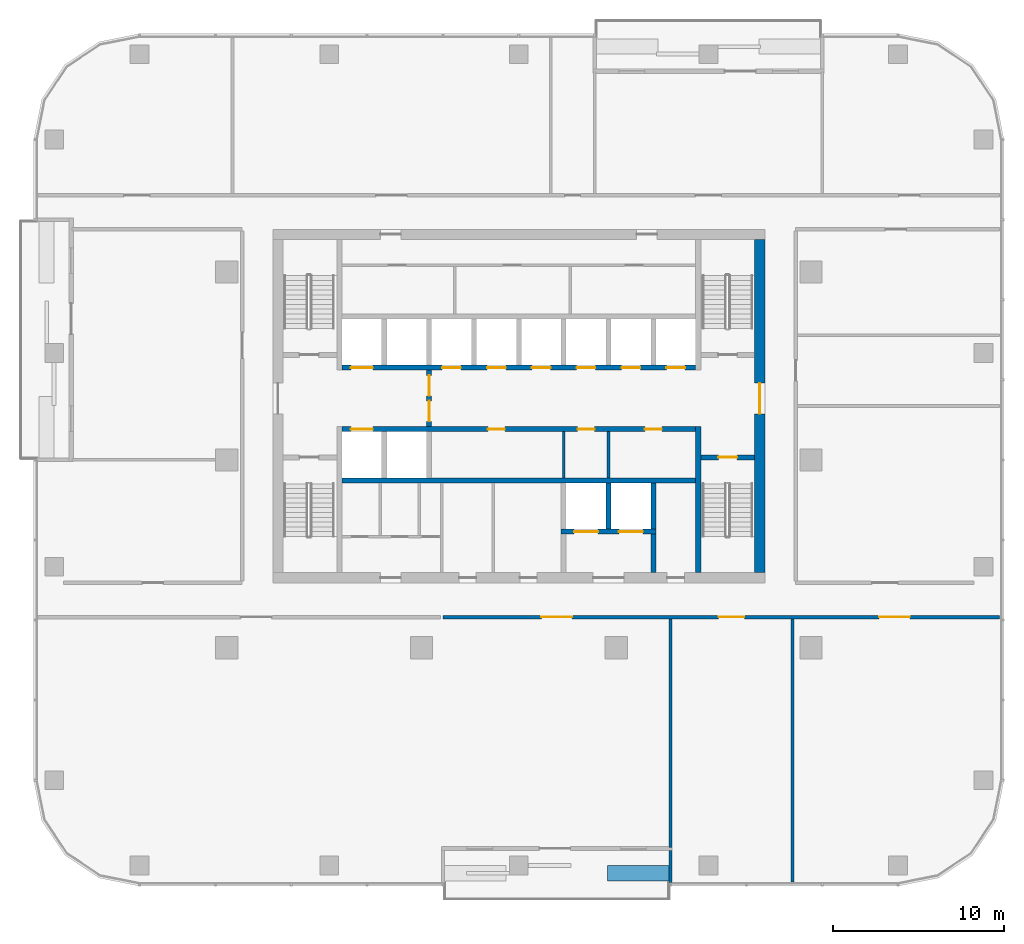
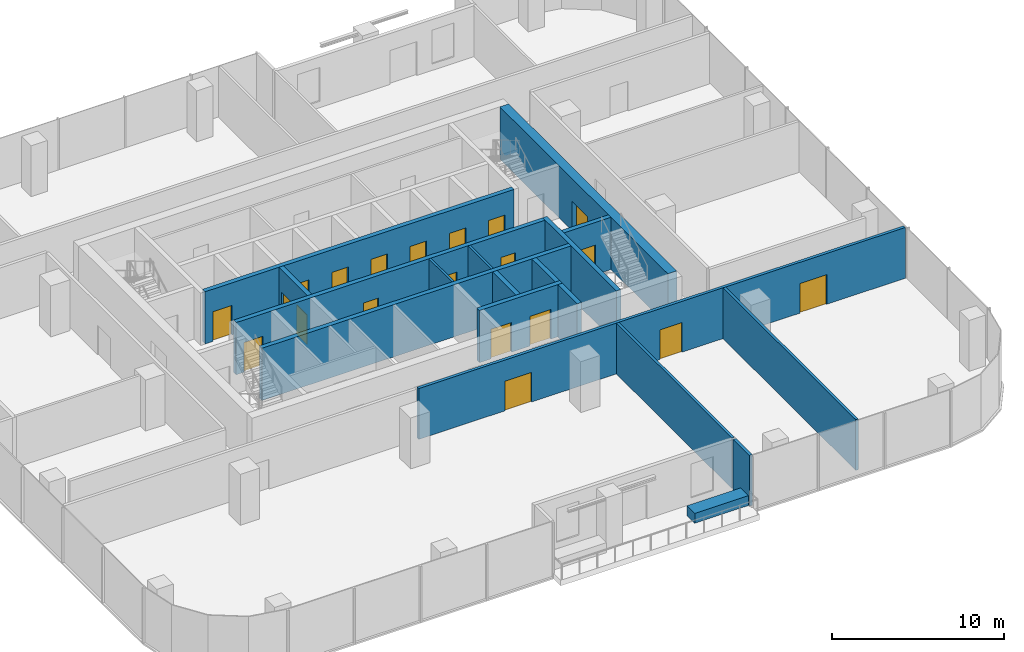
# One storey, part 8 of 14: 20 doors, 18 walls, 20 openings.
"""IFC4 building model written with IfcOpenShell, lengths in metres."""

import ifcopenshell
import ifcopenshell.guid

model = None  # the IFC model being written
_history = None  # IfcOwnerHistory: only IFC2X3 demands one
_inside = {}  # id of a spatial element -> (the spatial element, [elements in it])
_under = {}  # id of a project, library or spatial element -> (it, [spatial elements below it])
_declared = {}  # id of a project -> (the project, [libraries it declares])
_typed = {}  # id of a type object -> (the type object, [elements of that type])
_made_of = {}  # id of a material, layer set ... -> (it, [elements and type objects made of it])


def new_model(schema):
    """Start an empty IFC model of exactly this schema.

    Asked for "IFC4X3", IfcOpenShell would pick the latest addendum, in which some entities
    have other attributes; the version numbers below select the first issue.
    IFC2X3 requires an IfcOwnerHistory on every rooted entity: one is made here for all.
    """
    global model, _history
    if schema == "IFC4X3":
        model = ifcopenshell.file(schema_version=(4, 3, 0, 0))
    else:
        model = ifcopenshell.file(schema=schema)
    _inside.clear()
    _under.clear()
    _declared.clear()
    _typed.clear()
    _made_of.clear()
    _history = None
    if model.schema == "IFC2X3":
        org = make("IfcOrganization", Name="unknown")
        user = make(
            "IfcPersonAndOrganization",
            ThePerson=make("IfcPerson", FamilyName="unknown"),
            TheOrganization=org,
        )
        app = make(
            "IfcApplication",
            ApplicationDeveloper=org,
            Version="unknown",
            ApplicationFullName="unknown",
            ApplicationIdentifier="unknown",
        )
        _history = make(
            "IfcOwnerHistory",
            OwningUser=user,
            OwningApplication=app,
            ChangeAction="ADDED",
            CreationDate=0,
        )
    return model


def make(cls, **values):
    """One entity of the class cls with the attributes given. An attribute that is None is left unset."""
    return model.create_entity(
        cls, **{name: value for name, value in values.items() if value is not None}
    )


def rooted(cls, **values):
    """An entity with a GlobalId (a new one), such as an element, a storey or a relation."""
    return make(cls, GlobalId=ifcopenshell.guid.new(), OwnerHistory=_history, **values)


def si_unit(unit_type, name, prefix=None):
    """IfcSIUnit, for example si_unit("LENGTHUNIT", "METRE", prefix="MILLI")."""
    return make("IfcSIUnit", UnitType=unit_type, Prefix=prefix, Name=name)


def assignment(units):
    """IfcUnitAssignment: the units of a project."""
    return None if units is None else make("IfcUnitAssignment", Units=units)


def point(xyz):
    """IfcCartesianPoint."""
    return None if xyz is None else make("IfcCartesianPoint", Coordinates=xyz)


def direction(xyz):
    """IfcDirection."""
    return None if xyz is None else make("IfcDirection", DirectionRatios=xyz)


def frame(location, z_axis=None, x_axis=None):
    """IfcAxis2Placement3D, a coordinate frame: its origin and axes. An axis left out is left unset."""
    return make(
        "IfcAxis2Placement3D",
        Location=point(location),
        Axis=direction(z_axis),
        RefDirection=direction(x_axis),
    )


def frame_2d(location, x_axis=None):
    """IfcAxis2Placement2D, a coordinate frame in the plane: its origin and x axis."""
    return make(
        "IfcAxis2Placement2D", Location=point(location), RefDirection=direction(x_axis)
    )


def origin():
    """The frame at (0, 0, 0) with its axes left unset."""
    return frame((0.0, 0.0, 0.0))


def place(relative_to, where):
    """IfcLocalPlacement: puts the frame where relative to a parent placement (None: the world)."""
    return make(
        "IfcLocalPlacement", PlacementRelTo=relative_to, RelativePlacement=where
    )


def context(
    kind, dimensions, precision=None, world=None, true_north=None, identifier=None
):
    """IfcGeometricRepresentationContext, for example the 3D "Model" context."""
    return make(
        "IfcGeometricRepresentationContext",
        ContextIdentifier=identifier,
        ContextType=kind,
        CoordinateSpaceDimension=dimensions,
        Precision=precision,
        WorldCoordinateSystem=world,
        TrueNorth=true_north,
    )


def subcontext(parent, identifier, kind, view, scale=None):
    """IfcGeometricRepresentationSubContext, for example "Body" below "Model"."""
    return make(
        "IfcGeometricRepresentationSubContext",
        ContextIdentifier=identifier,
        ContextType=kind,
        ParentContext=parent,
        TargetScale=scale,
        TargetView=view,
    )


def project(units=None, contexts=None):
    """IfcProject with its units and contexts."""
    return rooted(
        "IfcProject",
        Name="project",
        RepresentationContexts=contexts,
        UnitsInContext=assignment(units),
    )


def spatial(cls, under=None, at=None, **own):
    """A site, building, storey or space (cls), placed at a placement, below another one or the project."""
    s = rooted(cls, ObjectPlacement=at, **own)
    if under is not None:
        _under.setdefault(under.id(), (under, []))[1].append(s)
    return s


def profile(cls, at=None, kind="AREA", **sizes):
    """A parametric profile (cls). Its sizes go by their IFC names, for example OverallWidth=200.0."""
    return make(cls, ProfileType=kind, Position=at, **sizes)


def rectangle(**sizes):
    """IfcRectangleProfileDef."""
    return profile("IfcRectangleProfileDef", **sizes)


def extrude(swept, where, along, depth):
    """IfcExtrudedAreaSolid: the profile swept, set in the frame where, extruded along a direction by depth."""
    return make(
        "IfcExtrudedAreaSolid",
        SweptArea=swept,
        Position=where,
        ExtrudedDirection=direction(along),
        Depth=depth,
    )


def shape(context_of_items, identifier, shape_type, items):
    """IfcShapeRepresentation: the items that make up one representation, for example the "Body"."""
    return make(
        "IfcShapeRepresentation",
        ContextOfItems=context_of_items,
        RepresentationIdentifier=identifier,
        RepresentationType=shape_type,
        Items=items,
    )


def material(Name=None, Category=None):
    """IfcMaterial."""
    return make("IfcMaterial", Name=Name, Category=Category)


def layer(
    of_material, thickness, ventilated=None, Name=None, Category=None, Priority=None
):
    """IfcMaterialLayer: one layer of a wall or slab, of a material (None: an air gap)."""
    return make(
        "IfcMaterialLayer",
        Material=of_material,
        LayerThickness=thickness,
        IsVentilated=ventilated,
        Name=Name,
        Category=Category,
        Priority=Priority,
    )


def layer_set(layers, Name=None):
    """IfcMaterialLayerSet."""
    return make("IfcMaterialLayerSet", MaterialLayers=layers, LayerSetName=Name)


def made_of(thing, what):
    """Note that an element or type object is made of a material, layer set ...; save() writes the relation."""
    if what is not None:
        _made_of.setdefault(what.id(), (what, []))[1].append(thing)
    return thing


def type_object(cls, material=None, **own):
    """A type object (cls), such as IfcWallType, which elements share."""
    return made_of(rooted(cls, **own), material)


def element(
    cls,
    number,
    at=None,
    inside=None,
    cuts=None,
    type_object=None,
    material=None,
    context=None,
    identifier="Body",
    shape_type=None,
    held_by="IfcProductDefinitionShape",
    body=None,
    shapes=None,
    **own,
):
    """One element of the class cls, such as IfcWall. Its Tag is "e" and its number.

    at: its placement. inside: the storey or other place that contains it. cuts: it is an
    opening in that element (IfcRelVoidsElement). A single representation is given by context,
    identifier, shape_type and body (its items); several are given by shapes. held_by: the class
    of the entity that holds the representations. save() writes the other relations.
    """
    e = rooted(cls, Tag="e%d" % number, ObjectPlacement=at, **own)
    if body is not None:
        shapes = [shape(context, identifier, shape_type, body)]
    if shapes is not None:
        e.Representation = make(held_by, Representations=shapes)
    if inside is not None:
        _inside.setdefault(inside.id(), (inside, []))[1].append(e)
    if cuts is not None:
        rooted(
            "IfcRelVoidsElement", RelatingBuildingElement=cuts, RelatedOpeningElement=e
        )
    if type_object is not None:
        _typed.setdefault(type_object.id(), (type_object, []))[1].append(e)
    return made_of(e, material)


def fill(opening, filler):
    """IfcRelFillsElement: the door or window that sits in an opening."""
    return rooted(
        "IfcRelFillsElement",
        RelatingOpeningElement=opening,
        RelatedBuildingElement=filler,
    )


def aggregate(whole, parts):
    """IfcRelAggregates: a whole, such as a stair, and the parts it consists of."""
    return rooted("IfcRelAggregates", RelatingObject=whole, RelatedObjects=parts)


def save(model, path):
    """Write the relations noted so far, then the file.

    IfcRelAggregates (storeys below a building ...), IfcRelContainedInSpatialStructure (elements
    in a storey), IfcRelDefinesByType, IfcRelAssociatesMaterial and IfcRelDeclares: one each for
    every whole, place, type object, material and project.
    """
    for whole, parts in _under.values():
        aggregate(whole, parts)
    for where, things in _inside.values():
        rooted(
            "IfcRelContainedInSpatialStructure",
            RelatedElements=things,
            RelatingStructure=where,
        )
    for kind, things in _typed.values():
        rooted("IfcRelDefinesByType", RelatedObjects=things, RelatingType=kind)
    for what, things in _made_of.values():
        rooted("IfcRelAssociatesMaterial", RelatedObjects=things, RelatingMaterial=what)
    for by, libraries in _declared.values():
        rooted("IfcRelDeclares", RelatingContext=by, RelatedDefinitions=libraries)
    model.write(path)


model = new_model("IFC4")

# Units and contexts
model_context = context("Model", 3, precision=1e-05, world=origin(), true_north=direction((0.0, 1.0)))
body_context = subcontext(model_context, "Body", "Model", "MODEL_VIEW")
ifc_project = project(units=[si_unit("LENGTHUNIT", "METRE"), si_unit("AREAUNIT", "SQUARE_METRE"), si_unit("VOLUMEUNIT", "CUBIC_METRE"), si_unit("PLANEANGLEUNIT", "RADIAN"), si_unit("MASSUNIT", "GRAM", prefix="KILO")], contexts=[model_context])

# Site, building, storey
site_placement = place(None, origin())
site = spatial("IfcSite", under=ifc_project, at=site_placement, CompositionType="ELEMENT")
building_placement = place(site_placement, origin())
building = spatial("IfcBuilding", under=site, at=building_placement, Name="Mopane Tessera Tower", CompositionType="ELEMENT")
storey_placement = place(building_placement, frame((0.0, 0.0, 251.0)))
storey = spatial("IfcBuildingStorey", under=building, at=storey_placement, Name="L54", CompositionType="ELEMENT", Elevation=251.0)

# Walls
ifc_material_1 = material(Name="Fire-rated gypsum board partition")
ifc_layer_1 = layer(ifc_material_1, 0.14990234375)
ifc_layer_set_1 = layer_set([ifc_layer_1], Name="Fire-rated gypsum board partition")
wall_type_1 = type_object("IfcWallType", Name="Core room partition 150 mm", PredefinedType="PARTITIONING", material=ifc_layer_set_1)
for number, where, z_axis, x_axis, name in (
    (1, (2.625, -1.050048828125, 0.0), (0.0, 0.0, 1.0), (0.0, 1.0, 0.0), "L54 Room partition"),
    (2, (5.25, -1.050048828125, 0.0), (0.0, 0.0, 1.0), (0.0, 1.0, 0.0), "L54 Room partition"),
):
    element("IfcWall", number, at=place(storey_placement, frame(where, z_axis=z_axis, x_axis=x_axis)), inside=storey, type_object=wall_type_1, Name=name, PredefinedType="PARTITIONING", context=body_context, shape_type="SweptSolid", body=[
        extrude(rectangle(XDim=2.699951171875, YDim=0.14990234375, at=frame_2d((1.35009765625, 0.0))), origin(), (0.0, 0.0, 1.0), 3.699951171875),
    ])

# Wall, opening, door
ifc_material_2 = material(Name="Concrete C70/85", Category="concrete")
ifc_layer_2 = layer(ifc_material_2, 0.60009765625)
ifc_layer_set_2 = layer_set([ifc_layer_2], Name="Concrete C70/85")
wall_type_2 = type_object("IfcWallType", Name="Core shear wall 600 mm", PredefinedType="SHEAR", material=ifc_layer_set_2)
wall_1_placement = place(storey_placement, frame((14.10009765625, -6.60009765625, 0.0), z_axis=(0.0, 0.0, 1.0), x_axis=(0.0, 1.0, 0.0)))
wall_1 = element("IfcWall", 3, at=wall_1_placement, inside=storey, type_object=wall_type_2, Name="L54 Core wall east", PredefinedType="SHEAR", context=body_context, shape_type="SweptSolid", body=[
    extrude(rectangle(XDim=19.5, YDim=0.60009765625, at=frame_2d((9.75, 0.0))), origin(), (0.0, 0.0, 1.0), 3.699951171875),
])
opening_1_placement = place(wall_1_placement, frame((9.300048828125, 0.0, 0.0)))
opening_1 = element("IfcOpeningElement", 4, at=opening_1_placement, cuts=wall_1, Name="Opening SD2", PredefinedType="OPENING", context=body_context, shape_type="SweptSolid", body=[
    extrude(rectangle(XDim=1.800048828125, YDim=2.10009765625, at=frame_2d((0.89990234375, 1.050048828125))), frame((0.0, 0.31201171875, 0.0), z_axis=(0.0, -1.0, 0.0), x_axis=(1.0, 0.0, 0.0)), (0.0, 0.0, 1.0), 0.6240234375),
])
ifc_material_3 = material(Name="Steel fire door", Category="steel")
door_type_1 = type_object("IfcDoorType", Name="Core entrance double door 1800 x 2100", OperationType="DOUBLE_DOOR_SINGLE_SWING", PredefinedType="DOOR", material=ifc_material_3)
door_1_placement = place(opening_1_placement, origin())
door_1 = element("IfcDoor", 5, at=door_1_placement, inside=storey, type_object=door_type_1, Name="L54 Core entrance door east", OperationType="DOUBLE_DOOR_SINGLE_SWING", OverallHeight=2.10009765625, OverallWidth=1.800048828125, PredefinedType="DOOR", context=body_context, shape_type="SweptSolid", body=[
    extrude(rectangle(XDim=1.800048828125, YDim=2.10009765625, at=frame_2d((0.89990234375, 1.050048828125))), frame((0.0, 0.02490234375, 0.0), z_axis=(0.0, -1.0, 0.0), x_axis=(1.0, 0.0, 0.0)), (0.0, 0.0, 1.0), 0.050048828125),
])
fill(opening_1, door_1)

# Walls
ifc_material_4 = material(Name="Concrete C60/75", Category="concrete")
ifc_layer_3 = layer(ifc_material_4, 0.300048828125)
ifc_layer_set_3 = layer_set([ifc_layer_3], Name="Concrete C60/75")
wall_type_3 = type_object("IfcWallType", Name="Core spine wall 300 mm", PredefinedType="SHEAR", material=ifc_layer_set_3)
wall_2_placement = place(storey_placement, frame((10.5, -6.60009765625, 0.0), z_axis=(0.0, 0.0, 1.0), x_axis=(0.0, 1.0, 0.0)))
element("IfcWall", 6, at=wall_2_placement, inside=storey, type_object=wall_type_3, Name="L54 Core spine wall", PredefinedType="SHEAR", context=body_context, shape_type="SweptSolid", body=[
    extrude(rectangle(XDim=8.550048828125, YDim=0.300048828125, at=frame_2d((4.27490234375, 0.0))), origin(), (0.0, 0.0, 1.0), 3.699951171875),
])
ifc_material_5 = material(Name="Gypsum board on staggered steel studs, double layer each face, acoustic mineral wool infill", Category="steel")
ifc_layer_4 = layer(ifc_material_5, 0.175048828125)
ifc_layer_set_4 = layer_set([ifc_layer_4], Name="Gypsum board on staggered steel studs, double layer each face, acoustic mineral wool infill")
wall_type_4 = type_object("IfcWallType", Name="Gypsum board acoustic partition 175, rated EI 60", PredefinedType="PARTITIONING", material=ifc_layer_set_4)
wall_3_placement = place(storey_placement, frame((8.8798828125, -22.699951171875, 0.0), z_axis=(0.0, 0.0, 1.0), x_axis=(0.0, 1.0, 0.0)))
element("IfcWall", 7, at=wall_3_placement, inside=storey, type_object=wall_type_4, Name="Partition L54:014", PredefinedType="PARTITIONING", context=body_context, shape_type="SweptSolid", body=[
    extrude(rectangle(XDim=13.39990234375, YDim=0.175048828125, at=frame_2d((6.699951171875, 0.0))), origin(), (0.0, 0.0, 1.0), 3.60009765625),
])
wall_4_placement = place(storey_placement, frame((16.02001953125, -24.699951171875, 0.0), z_axis=(0.0, 0.0, 1.0), x_axis=(0.0, 1.0, 0.0)))
element("IfcWall", 8, at=wall_4_placement, inside=storey, type_object=wall_type_4, Name="Partition L54:015", PredefinedType="PARTITIONING", context=body_context, shape_type="SweptSolid", body=[
    extrude(rectangle(XDim=15.39990234375, YDim=0.175048828125, at=frame_2d((7.699951171875, 0.0))), origin(), (0.0, 0.0, 1.0), 3.60009765625),
])

# Wall, openings, doors
ifc_material_6 = material(Name="Gypsum board on steel studs, two layers each face, mineral wool infill", Category="steel")
ifc_layer_5 = layer(ifc_material_6, 0.199951171875)
ifc_layer_set_5 = layer_set([ifc_layer_5], Name="Gypsum board on steel studs, two layers each face, mineral wool infill")
wall_type_5 = type_object("IfcWallType", Name="Gypsum board corridor wall 200, rated EI 60", PredefinedType="PARTITIONING", material=ifc_layer_set_5)
wall_5_placement = place(storey_placement, frame((-4.43994140625, -9.199951171875, 0.0), z_axis=(0.0, 0.0, 1.0), x_axis=(1.0, 0.0, 0.0)))
wall_5 = element("IfcWall", 9, at=wall_5_placement, inside=storey, type_object=wall_type_5, Name="Partition L54:001", PredefinedType="PARTITIONING", context=body_context, shape_type="SweptSolid", body=[
    extrude(rectangle(XDim=32.58984375, YDim=0.199951171875, at=frame_2d((16.294921875, 0.0))), origin(), (0.0, 0.0, 1.0), 3.60009765625),
])
opening_2_placement = place(wall_5_placement, frame((25.52490234375, 0.0, 0.0)))
opening_2 = element("IfcOpeningElement", 10, at=opening_2_placement, cuts=wall_5, Name="Opening L54-02", PredefinedType="OPENING", context=body_context, shape_type="SweptSolid", body=[
    extrude(rectangle(XDim=1.800048828125, YDim=2.10009765625, at=frame_2d((0.89990234375, 1.050048828125))), frame((0.0, 0.112060546875, 0.0), z_axis=(0.0, -1.0, 0.0), x_axis=(1.0, 0.0, 0.0)), (0.0, 0.0, 1.0), 0.223876953125),
])
opening_3_placement = place(wall_5_placement, frame((5.760009765625, 0.0, 0.0)))
opening_3 = element("IfcOpeningElement", 11, at=opening_3_placement, cuts=wall_5, Name="Opening L54-04", PredefinedType="OPENING", context=body_context, shape_type="SweptSolid", body=[
    extrude(rectangle(XDim=1.800048828125, YDim=2.10009765625, at=frame_2d((0.89990234375, 1.050048828125))), frame((0.0, 0.112060546875, 0.0), z_axis=(0.0, -1.0, 0.0), x_axis=(1.0, 0.0, 0.0)), (0.0, 0.0, 1.0), 0.223876953125),
])
opening_4_placement = place(wall_5_placement, frame((16.139892578125, 0.0, 0.0)))
opening_4 = element("IfcOpeningElement", 12, at=opening_4_placement, cuts=wall_5, Name="Opening L54-13", PredefinedType="OPENING", context=body_context, shape_type="SweptSolid", body=[
    extrude(rectangle(XDim=1.5, YDim=2.10009765625, at=frame_2d((0.75, 1.050048828125))), frame((0.0, 0.112060546875, 0.0), z_axis=(0.0, -1.0, 0.0), x_axis=(1.0, 0.0, 0.0)), (0.0, 0.0, 1.0), 0.223876953125),
])
ifc_material_7 = material(Name="Timber veneered steel-framed fire door", Category="steel")
door_type_2 = type_object("IfcDoorType", Name="Fire door pair FD60 1500 x 2100", OperationType="DOUBLE_DOOR_SINGLE_SWING", PredefinedType="DOOR", material=ifc_material_7)
door_2_placement = place(opening_4_placement, origin())
door_2 = element("IfcDoor", 13, at=door_2_placement, inside=storey, type_object=door_type_2, Name="Door L54-13", ObjectType="D17A", OperationType="DOUBLE_DOOR_SINGLE_SWING", OverallHeight=2.10009765625, OverallWidth=1.5, PredefinedType="DOOR", context=body_context, shape_type="SweptSolid", body=[
    extrude(rectangle(XDim=1.5, YDim=2.10009765625, at=frame_2d((0.75, 1.050048828125))), frame((0.0, 0.02490234375, 0.0), z_axis=(0.0, -1.0, 0.0), x_axis=(1.0, 0.0, 0.0)), (0.0, 0.0, 1.0), 0.050048828125),
])
fill(opening_4, door_2)
ifc_material_8 = material(Name="Timber veneered steel-framed fire door", Category="steel")
door_type_3 = type_object("IfcDoorType", Name="Fire door pair FD60 1800 x 2100", OperationType="DOUBLE_DOOR_SINGLE_SWING", PredefinedType="DOOR", material=ifc_material_8)
door_3_placement = place(opening_2_placement, origin())
door_3 = element("IfcDoor", 14, at=door_3_placement, inside=storey, type_object=door_type_3, Name="Door L54-02", ObjectType="D20A", OperationType="DOUBLE_DOOR_SINGLE_SWING", OverallHeight=2.10009765625, OverallWidth=1.800048828125, PredefinedType="DOOR", context=body_context, shape_type="SweptSolid", body=[
    extrude(rectangle(XDim=1.800048828125, YDim=2.10009765625, at=frame_2d((0.89990234375, 1.050048828125))), frame((0.0, 0.02490234375, 0.0), z_axis=(0.0, -1.0, 0.0), x_axis=(1.0, 0.0, 0.0)), (0.0, 0.0, 1.0), 0.050048828125),
])
fill(opening_2, door_3)
door_4_placement = place(opening_3_placement, origin())
door_4 = element("IfcDoor", 15, at=door_4_placement, inside=storey, type_object=door_type_3, Name="Door L54-04", ObjectType="D20A", OperationType="DOUBLE_DOOR_SINGLE_SWING", OverallHeight=2.10009765625, OverallWidth=1.800048828125, PredefinedType="DOOR", context=body_context, shape_type="SweptSolid", body=[
    extrude(rectangle(XDim=1.800048828125, YDim=2.10009765625, at=frame_2d((0.89990234375, 1.050048828125))), frame((0.0, 0.02490234375, 0.0), z_axis=(0.0, -1.0, 0.0), x_axis=(1.0, 0.0, 0.0)), (0.0, 0.0, 1.0), 0.050048828125),
])
fill(opening_3, door_4)

# Wall, opening, door
ifc_material_9 = material(Name="Concrete C50/60", Category="concrete")
ifc_layer_6 = layer(ifc_material_9, 0.300048828125)
ifc_layer_set_6 = layer_set([ifc_layer_6], Name="Concrete C50/60")
wall_type_6 = type_object("IfcWallType", Name="Lift and stair shaft wall 300 mm", PredefinedType="SOLIDWALL", material=ifc_layer_set_6)
wall_6_placement = place(storey_placement, frame((10.64990234375, 0.14990234375, 0.0), z_axis=(0.0, 0.0, 1.0), x_axis=(1.0, 0.0, 0.0)))
wall_6 = element("IfcWall", 16, at=wall_6_placement, inside=storey, type_object=wall_type_6, Name="L54 Stair enclosure wall", PredefinedType="SOLIDWALL", context=body_context, shape_type="SweptSolid", body=[
    extrude(rectangle(XDim=3.150146484375, YDim=0.300048828125, at=frame_2d((1.5751953125, 0.0))), origin(), (0.0, 0.0, 1.0), 3.699951171875),
])
opening_5_placement = place(wall_6_placement, frame((1.02490234375, 0.0, 0.0)))
opening_5 = element("IfcOpeningElement", 17, at=opening_5_placement, cuts=wall_6, Name="Opening SD1", PredefinedType="OPENING", context=body_context, shape_type="SweptSolid", body=[
    extrude(rectangle(XDim=1.10009765625, YDim=2.10009765625, at=frame_2d((0.550048828125, 1.050048828125))), frame((0.0, 0.162109375, 0.0), z_axis=(0.0, -1.0, 0.0), x_axis=(1.0, 0.0, 0.0)), (0.0, 0.0, 1.0), 0.323974609375),
])
ifc_material_10 = material(Name="Steel fire door", Category="steel")
door_type_4 = type_object("IfcDoorType", Name="Stair fire door 1100 x 2100", OperationType="SINGLE_SWING_LEFT", PredefinedType="DOOR", material=ifc_material_10)
door_5_placement = place(opening_5_placement, origin())
door_5 = element("IfcDoor", 18, at=door_5_placement, inside=storey, type_object=door_type_4, Name="L54 Stair door ST3", OperationType="SINGLE_SWING_RIGHT", OverallHeight=2.10009765625, OverallWidth=1.10009765625, PredefinedType="DOOR", context=body_context, shape_type="SweptSolid", body=[
    extrude(rectangle(XDim=1.10009765625, YDim=2.10009765625, at=frame_2d((0.550048828125, 1.050048828125))), frame((0.0, 0.02490234375, 0.0), z_axis=(0.0, -1.0, 0.0), x_axis=(1.0, 0.0, 0.0)), (0.0, 0.0, 1.0), 0.050048828125),
])
fill(opening_5, door_5)

# Wall
wall_7_placement = place(storey_placement, frame((-10.35009765625, -1.199951171875, 0.0), z_axis=(0.0, 0.0, 1.0), x_axis=(1.0, 0.0, 0.0)))
element("IfcWall", 19, at=wall_7_placement, inside=storey, type_object=wall_type_6, Name="L54 Lift shaft rear wall", PredefinedType="SOLIDWALL", context=body_context, shape_type="SweptSolid", body=[
    extrude(rectangle(XDim=20.7001953125, YDim=0.300048828125, at=frame_2d((10.35009765625, 0.0))), origin(), (0.0, 0.0, 1.0), 3.699951171875),
])

# Wall, openings, doors
wall_8_placement = place(storey_placement, frame((-10.35009765625, 1.800048828125, 0.0), z_axis=(0.0, 0.0, 1.0), x_axis=(1.0, 0.0, 0.0)))
wall_8 = element("IfcWall", 20, at=wall_8_placement, inside=storey, type_object=wall_type_6, Name="L54 Lift shaft front wall", PredefinedType="SOLIDWALL", context=body_context, shape_type="SweptSolid", body=[
    extrude(rectangle(XDim=20.7001953125, YDim=0.300048828125, at=frame_2d((10.35009765625, 0.0))), origin(), (0.0, 0.0, 1.0), 3.699951171875),
])
opening_6_placement = place(wall_8_placement, frame((0.512451171875, 0.0, 0.0)))
opening_6 = element("IfcOpeningElement", 21, at=opening_6_placement, cuts=wall_8, Name="Opening LD2", PredefinedType="OPENING", context=body_context, shape_type="SweptSolid", body=[
    extrude(rectangle(XDim=1.300048828125, YDim=2.10009765625, at=frame_2d((0.64990234375, 1.050048828125))), frame((0.0, 0.162109375, 0.0), z_axis=(0.0, -1.0, 0.0), x_axis=(1.0, 0.0, 0.0)), (0.0, 0.0, 1.0), 0.323974609375),
])
opening_7_placement = place(wall_8_placement, frame((8.53759765625, 0.0, 0.0)))
opening_7 = element("IfcOpeningElement", 22, at=opening_7_placement, cuts=wall_8, Name="Opening RD1", PredefinedType="OPENING", context=body_context, shape_type="SweptSolid", body=[
    extrude(rectangle(XDim=1.0, YDim=2.10009765625, at=frame_2d((0.5, 1.050048828125))), frame((0.0, 0.162109375, 0.0), z_axis=(0.0, -1.0, 0.0), x_axis=(1.0, 0.0, 0.0)), (0.0, 0.0, 1.0), 0.323974609375),
])
opening_8_placement = place(wall_8_placement, frame((13.78759765625, 0.0, 0.0)))
opening_8 = element("IfcOpeningElement", 23, at=opening_8_placement, cuts=wall_8, Name="Opening RD1", PredefinedType="OPENING", context=body_context, shape_type="SweptSolid", body=[
    extrude(rectangle(XDim=1.0, YDim=2.10009765625, at=frame_2d((0.5, 1.050048828125))), frame((0.0, 0.162109375, 0.0), z_axis=(0.0, -1.0, 0.0), x_axis=(1.0, 0.0, 0.0)), (0.0, 0.0, 1.0), 0.323974609375),
])
opening_9_placement = place(wall_8_placement, frame((17.72509765625, 0.0, 0.0)))
opening_9 = element("IfcOpeningElement", 24, at=opening_9_placement, cuts=wall_8, Name="Opening RD1", PredefinedType="OPENING", context=body_context, shape_type="SweptSolid", body=[
    extrude(rectangle(XDim=1.0, YDim=2.10009765625, at=frame_2d((0.5, 1.050048828125))), frame((0.0, 0.162109375, 0.0), z_axis=(0.0, -1.0, 0.0), x_axis=(1.0, 0.0, 0.0)), (0.0, 0.0, 1.0), 0.323974609375),
])
ifc_material_11 = material(Name="Timber door", Category="wood")
door_type_5 = type_object("IfcDoorType", Name="Core room door 1000 x 2100", OperationType="SINGLE_SWING_LEFT", PredefinedType="DOOR", material=ifc_material_11)
door_6_placement = place(opening_7_placement, origin())
door_6 = element("IfcDoor", 25, at=door_6_placement, inside=storey, type_object=door_type_5, Name="L54 Room door", OperationType="SINGLE_SWING_LEFT", OverallHeight=2.10009765625, OverallWidth=1.0, PredefinedType="DOOR", context=body_context, shape_type="SweptSolid", body=[
    extrude(rectangle(XDim=1.0, YDim=2.10009765625, at=frame_2d((0.5, 1.050048828125))), frame((0.0, 0.02490234375, 0.0), z_axis=(0.0, -1.0, 0.0), x_axis=(1.0, 0.0, 0.0)), (0.0, 0.0, 1.0), 0.050048828125),
])
fill(opening_7, door_6)
door_7_placement = place(opening_8_placement, origin())
door_7 = element("IfcDoor", 26, at=door_7_placement, inside=storey, type_object=door_type_5, Name="L54 Room door", OperationType="SINGLE_SWING_LEFT", OverallHeight=2.10009765625, OverallWidth=1.0, PredefinedType="DOOR", context=body_context, shape_type="SweptSolid", body=[
    extrude(rectangle(XDim=1.0, YDim=2.10009765625, at=frame_2d((0.5, 1.050048828125))), frame((0.0, 0.02490234375, 0.0), z_axis=(0.0, -1.0, 0.0), x_axis=(1.0, 0.0, 0.0)), (0.0, 0.0, 1.0), 0.050048828125),
])
fill(opening_8, door_7)
door_8_placement = place(opening_9_placement, origin())
door_8 = element("IfcDoor", 27, at=door_8_placement, inside=storey, type_object=door_type_5, Name="L54 Room door", OperationType="SINGLE_SWING_LEFT", OverallHeight=2.10009765625, OverallWidth=1.0, PredefinedType="DOOR", context=body_context, shape_type="SweptSolid", body=[
    extrude(rectangle(XDim=1.0, YDim=2.10009765625, at=frame_2d((0.5, 1.050048828125))), frame((0.0, 0.02490234375, 0.0), z_axis=(0.0, -1.0, 0.0), x_axis=(1.0, 0.0, 0.0)), (0.0, 0.0, 1.0), 0.050048828125),
])
fill(opening_9, door_8)
ifc_material_12 = material(Name="Stainless steel sliding door", Category="steel")
door_type_6 = type_object("IfcDoorType", Name="Fire-fighting lift landing door 1300 x 2100", OperationType="DOUBLE_DOOR_SLIDING", PredefinedType="DOOR", material=ifc_material_12)
door_9_placement = place(opening_6_placement, origin())
door_9 = element("IfcDoor", 28, at=door_9_placement, inside=storey, type_object=door_type_6, Name="L54 Lift landing door FF1", OperationType="DOUBLE_DOOR_SLIDING", OverallHeight=2.10009765625, OverallWidth=1.300048828125, PredefinedType="DOOR", context=body_context, shape_type="SweptSolid", body=[
    extrude(rectangle(XDim=1.300048828125, YDim=2.10009765625, at=frame_2d((0.64990234375, 1.050048828125))), frame((0.0, 0.02490234375, 0.0), z_axis=(0.0, -1.0, 0.0), x_axis=(1.0, 0.0, 0.0)), (0.0, 0.0, 1.0), 0.050048828125),
])
fill(opening_6, door_9)

wall_9_placement = place(storey_placement, frame((-10.35009765625, 5.39990234375, 0.0), z_axis=(0.0, 0.0, 1.0), x_axis=(1.0, 0.0, 0.0)))
wall_9 = element("IfcWall", 29, at=wall_9_placement, inside=storey, type_object=wall_type_6, Name="L54 Lift shaft front wall", PredefinedType="SOLIDWALL", context=body_context, shape_type="SweptSolid", body=[
    extrude(rectangle(XDim=20.7001953125, YDim=0.300048828125, at=frame_2d((10.35009765625, 0.0))), origin(), (0.0, 0.0, 1.0), 3.699951171875),
])
opening_10_placement = place(wall_9_placement, frame((0.512451171875, 0.0, 0.0)))
opening_10 = element("IfcOpeningElement", 30, at=opening_10_placement, cuts=wall_9, Name="Opening LD2", PredefinedType="OPENING", context=body_context, shape_type="SweptSolid", body=[
    extrude(rectangle(XDim=1.300048828125, YDim=2.10009765625, at=frame_2d((0.64990234375, 1.050048828125))), frame((0.0, 0.162109375, 0.0), z_axis=(0.0, -1.0, 0.0), x_axis=(1.0, 0.0, 0.0)), (0.0, 0.0, 1.0), 0.323974609375),
])
opening_11_placement = place(wall_9_placement, frame((5.862548828125, 0.0, 0.0)))
opening_11 = element("IfcOpeningElement", 31, at=opening_11_placement, cuts=wall_9, Name="Opening LD", PredefinedType="OPENING", context=body_context, shape_type="SweptSolid", body=[
    extrude(rectangle(XDim=1.10009765625, YDim=2.10009765625, at=frame_2d((0.550048828125, 1.050048828125))), frame((0.0, 0.162109375, 0.0), z_axis=(0.0, -1.0, 0.0), x_axis=(1.0, 0.0, 0.0)), (0.0, 0.0, 1.0), 0.323974609375),
])
opening_12_placement = place(wall_9_placement, frame((8.487548828125, 0.0, 0.0)))
opening_12 = element("IfcOpeningElement", 32, at=opening_12_placement, cuts=wall_9, Name="Opening LD", PredefinedType="OPENING", context=body_context, shape_type="SweptSolid", body=[
    extrude(rectangle(XDim=1.10009765625, YDim=2.10009765625, at=frame_2d((0.550048828125, 1.050048828125))), frame((0.0, 0.162109375, 0.0), z_axis=(0.0, -1.0, 0.0), x_axis=(1.0, 0.0, 0.0)), (0.0, 0.0, 1.0), 0.323974609375),
])
opening_13_placement = place(wall_9_placement, frame((11.112548828125, 0.0, 0.0)))
opening_13 = element("IfcOpeningElement", 33, at=opening_13_placement, cuts=wall_9, Name="Opening LD", PredefinedType="OPENING", context=body_context, shape_type="SweptSolid", body=[
    extrude(rectangle(XDim=1.10009765625, YDim=2.10009765625, at=frame_2d((0.550048828125, 1.050048828125))), frame((0.0, 0.162109375, 0.0), z_axis=(0.0, -1.0, 0.0), x_axis=(1.0, 0.0, 0.0)), (0.0, 0.0, 1.0), 0.323974609375),
])
opening_14_placement = place(wall_9_placement, frame((13.737548828125, 0.0, 0.0)))
opening_14 = element("IfcOpeningElement", 34, at=opening_14_placement, cuts=wall_9, Name="Opening LD", PredefinedType="OPENING", context=body_context, shape_type="SweptSolid", body=[
    extrude(rectangle(XDim=1.10009765625, YDim=2.10009765625, at=frame_2d((0.550048828125, 1.050048828125))), frame((0.0, 0.162109375, 0.0), z_axis=(0.0, -1.0, 0.0), x_axis=(1.0, 0.0, 0.0)), (0.0, 0.0, 1.0), 0.323974609375),
])
opening_15_placement = place(wall_9_placement, frame((16.362548828125, 0.0, 0.0)))
opening_15 = element("IfcOpeningElement", 35, at=opening_15_placement, cuts=wall_9, Name="Opening LD", PredefinedType="OPENING", context=body_context, shape_type="SweptSolid", body=[
    extrude(rectangle(XDim=1.10009765625, YDim=2.10009765625, at=frame_2d((0.550048828125, 1.050048828125))), frame((0.0, 0.162109375, 0.0), z_axis=(0.0, -1.0, 0.0), x_axis=(1.0, 0.0, 0.0)), (0.0, 0.0, 1.0), 0.323974609375),
])
opening_16_placement = place(wall_9_placement, frame((18.987548828125, 0.0, 0.0)))
opening_16 = element("IfcOpeningElement", 36, at=opening_16_placement, cuts=wall_9, Name="Opening LD", PredefinedType="OPENING", context=body_context, shape_type="SweptSolid", body=[
    extrude(rectangle(XDim=1.10009765625, YDim=2.10009765625, at=frame_2d((0.550048828125, 1.050048828125))), frame((0.0, 0.162109375, 0.0), z_axis=(0.0, -1.0, 0.0), x_axis=(1.0, 0.0, 0.0)), (0.0, 0.0, 1.0), 0.323974609375),
])
door_10_placement = place(opening_10_placement, origin())
door_10 = element("IfcDoor", 37, at=door_10_placement, inside=storey, type_object=door_type_6, Name="L54 Lift landing door FF2", OperationType="DOUBLE_DOOR_SLIDING", OverallHeight=2.10009765625, OverallWidth=1.300048828125, PredefinedType="DOOR", context=body_context, shape_type="SweptSolid", body=[
    extrude(rectangle(XDim=1.300048828125, YDim=2.10009765625, at=frame_2d((0.64990234375, 1.050048828125))), frame((0.0, 0.02490234375, 0.0), z_axis=(0.0, -1.0, 0.0), x_axis=(1.0, 0.0, 0.0)), (0.0, 0.0, 1.0), 0.050048828125),
])
fill(opening_10, door_10)
ifc_material_13 = material(Name="Stainless steel sliding door", Category="steel")
door_type_7 = type_object("IfcDoorType", Name="Lift landing door 1100 x 2100", OperationType="DOUBLE_DOOR_SLIDING", PredefinedType="DOOR", material=ifc_material_13)
door_11_placement = place(opening_11_placement, origin())
door_11 = element("IfcDoor", 38, at=door_11_placement, inside=storey, type_object=door_type_7, Name="L54 Lift landing door HR1", OperationType="DOUBLE_DOOR_SLIDING", OverallHeight=2.10009765625, OverallWidth=1.10009765625, PredefinedType="DOOR", context=body_context, shape_type="SweptSolid", body=[
    extrude(rectangle(XDim=1.10009765625, YDim=2.10009765625, at=frame_2d((0.550048828125, 1.050048828125))), frame((0.0, 0.02490234375, 0.0), z_axis=(0.0, -1.0, 0.0), x_axis=(1.0, 0.0, 0.0)), (0.0, 0.0, 1.0), 0.050048828125),
])
fill(opening_11, door_11)
door_12_placement = place(opening_12_placement, origin())
door_12 = element("IfcDoor", 39, at=door_12_placement, inside=storey, type_object=door_type_7, Name="L54 Lift landing door HR2", OperationType="DOUBLE_DOOR_SLIDING", OverallHeight=2.10009765625, OverallWidth=1.10009765625, PredefinedType="DOOR", context=body_context, shape_type="SweptSolid", body=[
    extrude(rectangle(XDim=1.10009765625, YDim=2.10009765625, at=frame_2d((0.550048828125, 1.050048828125))), frame((0.0, 0.02490234375, 0.0), z_axis=(0.0, -1.0, 0.0), x_axis=(1.0, 0.0, 0.0)), (0.0, 0.0, 1.0), 0.050048828125),
])
fill(opening_12, door_12)
door_13_placement = place(opening_13_placement, origin())
door_13 = element("IfcDoor", 40, at=door_13_placement, inside=storey, type_object=door_type_7, Name="L54 Lift landing door HR3", OperationType="DOUBLE_DOOR_SLIDING", OverallHeight=2.10009765625, OverallWidth=1.10009765625, PredefinedType="DOOR", context=body_context, shape_type="SweptSolid", body=[
    extrude(rectangle(XDim=1.10009765625, YDim=2.10009765625, at=frame_2d((0.550048828125, 1.050048828125))), frame((0.0, 0.02490234375, 0.0), z_axis=(0.0, -1.0, 0.0), x_axis=(1.0, 0.0, 0.0)), (0.0, 0.0, 1.0), 0.050048828125),
])
fill(opening_13, door_13)
door_14_placement = place(opening_14_placement, origin())
door_14 = element("IfcDoor", 41, at=door_14_placement, inside=storey, type_object=door_type_7, Name="L54 Lift landing door HR4", OperationType="DOUBLE_DOOR_SLIDING", OverallHeight=2.10009765625, OverallWidth=1.10009765625, PredefinedType="DOOR", context=body_context, shape_type="SweptSolid", body=[
    extrude(rectangle(XDim=1.10009765625, YDim=2.10009765625, at=frame_2d((0.550048828125, 1.050048828125))), frame((0.0, 0.02490234375, 0.0), z_axis=(0.0, -1.0, 0.0), x_axis=(1.0, 0.0, 0.0)), (0.0, 0.0, 1.0), 0.050048828125),
])
fill(opening_14, door_14)
door_15_placement = place(opening_15_placement, origin())
door_15 = element("IfcDoor", 42, at=door_15_placement, inside=storey, type_object=door_type_7, Name="L54 Lift landing door HR5", OperationType="DOUBLE_DOOR_SLIDING", OverallHeight=2.10009765625, OverallWidth=1.10009765625, PredefinedType="DOOR", context=body_context, shape_type="SweptSolid", body=[
    extrude(rectangle(XDim=1.10009765625, YDim=2.10009765625, at=frame_2d((0.550048828125, 1.050048828125))), frame((0.0, 0.02490234375, 0.0), z_axis=(0.0, -1.0, 0.0), x_axis=(1.0, 0.0, 0.0)), (0.0, 0.0, 1.0), 0.050048828125),
])
fill(opening_15, door_15)
door_16_placement = place(opening_16_placement, origin())
door_16 = element("IfcDoor", 43, at=door_16_placement, inside=storey, type_object=door_type_7, Name="L54 Lift landing door HR6", OperationType="DOUBLE_DOOR_SLIDING", OverallHeight=2.10009765625, OverallWidth=1.10009765625, PredefinedType="DOOR", context=body_context, shape_type="SweptSolid", body=[
    extrude(rectangle(XDim=1.10009765625, YDim=2.10009765625, at=frame_2d((0.550048828125, 1.050048828125))), frame((0.0, 0.02490234375, 0.0), z_axis=(0.0, -1.0, 0.0), x_axis=(1.0, 0.0, 0.0)), (0.0, 0.0, 1.0), 0.050048828125),
])
fill(opening_16, door_16)

wall_10_placement = place(storey_placement, frame((2.47509765625, -4.199951171875, 0.0), z_axis=(0.0, 0.0, 1.0), x_axis=(1.0, 0.0, 0.0)))
wall_10 = element("IfcWall", 44, at=wall_10_placement, inside=storey, type_object=wall_type_6, Name="L54 Lift shaft front wall", PredefinedType="SOLIDWALL", context=body_context, shape_type="SweptSolid", body=[
    extrude(rectangle(XDim=5.5498046875, YDim=0.300048828125, at=frame_2d((2.77490234375, 0.0))), origin(), (0.0, 0.0, 1.0), 3.699951171875),
])
opening_17_placement = place(wall_10_placement, frame((0.762451171875, 0.0, 0.0)))
opening_17 = element("IfcOpeningElement", 45, at=opening_17_placement, cuts=wall_10, Name="Opening LD3", PredefinedType="OPENING", context=body_context, shape_type="SweptSolid", body=[
    extrude(rectangle(XDim=1.39990234375, YDim=2.10009765625, at=frame_2d((0.699951171875, 1.050048828125))), frame((0.0, 0.162109375, 0.0), z_axis=(0.0, -1.0, 0.0), x_axis=(1.0, 0.0, 0.0)), (0.0, 0.0, 1.0), 0.323974609375),
])
opening_18_placement = place(wall_10_placement, frame((3.387451171875, 0.0, 0.0)))
opening_18 = element("IfcOpeningElement", 46, at=opening_18_placement, cuts=wall_10, Name="Opening LD3", PredefinedType="OPENING", context=body_context, shape_type="SweptSolid", body=[
    extrude(rectangle(XDim=1.39990234375, YDim=2.10009765625, at=frame_2d((0.699951171875, 1.050048828125))), frame((0.0, 0.162109375, 0.0), z_axis=(0.0, -1.0, 0.0), x_axis=(1.0, 0.0, 0.0)), (0.0, 0.0, 1.0), 0.323974609375),
])
ifc_material_14 = material(Name="Stainless steel sliding door", Category="steel")
door_type_8 = type_object("IfcDoorType", Name="Service lift landing door 1400 x 2100", OperationType="DOUBLE_DOOR_SLIDING", PredefinedType="DOOR", material=ifc_material_14)
door_17_placement = place(opening_17_placement, origin())
door_17 = element("IfcDoor", 47, at=door_17_placement, inside=storey, type_object=door_type_8, Name="L54 Lift landing door SV1", OperationType="DOUBLE_DOOR_SLIDING", OverallHeight=2.10009765625, OverallWidth=1.39990234375, PredefinedType="DOOR", context=body_context, shape_type="SweptSolid", body=[
    extrude(rectangle(XDim=1.39990234375, YDim=2.10009765625, at=frame_2d((0.699951171875, 1.050048828125))), frame((0.0, 0.02490234375, 0.0), z_axis=(0.0, -1.0, 0.0), x_axis=(1.0, 0.0, 0.0)), (0.0, 0.0, 1.0), 0.050048828125),
])
fill(opening_17, door_17)
door_18_placement = place(opening_18_placement, origin())
door_18 = element("IfcDoor", 48, at=door_18_placement, inside=storey, type_object=door_type_8, Name="L54 Lift landing door SV2", OperationType="DOUBLE_DOOR_SLIDING", OverallHeight=2.10009765625, OverallWidth=1.39990234375, PredefinedType="DOOR", context=body_context, shape_type="SweptSolid", body=[
    extrude(rectangle(XDim=1.39990234375, YDim=2.10009765625, at=frame_2d((0.699951171875, 1.050048828125))), frame((0.0, 0.02490234375, 0.0), z_axis=(0.0, -1.0, 0.0), x_axis=(1.0, 0.0, 0.0)), (0.0, 0.0, 1.0), 0.050048828125),
])
fill(opening_18, door_18)

# Walls
for number, where, z_axis, x_axis, name in (
    (49, (5.25, -4.050048828125, 0.0), (0.0, 0.0, 1.0), (0.0, 1.0, 0.0), "L54 Lift shaft wall"),
    (50, (7.875, -4.050048828125, 0.0), (0.0, 0.0, 1.0), (0.0, 1.0, 0.0), "L54 Lift shaft wall"),
):
    element("IfcWall", number, at=place(storey_placement, frame(where, z_axis=z_axis, x_axis=x_axis)), inside=storey, type_object=wall_type_6, Name=name, PredefinedType="SOLIDWALL", context=body_context, shape_type="SweptSolid", body=[
        extrude(rectangle(XDim=2.699951171875, YDim=0.300048828125, at=frame_2d((1.35009765625, 0.0))), origin(), (0.0, 0.0, 1.0), 3.699951171875),
    ])

# Wall, openings, doors
ifc_material_15 = material(Name="Concrete C50/60", Category="concrete")
ifc_layer_7 = layer(ifc_material_15, 0.300048828125)
ifc_layer_set_7 = layer_set([ifc_layer_7], Name="Concrete C50/60")
wall_type_7 = type_object("IfcWallType", Name="Lobby and refuge room wall 300 mm", PredefinedType="SOLIDWALL", material=ifc_layer_set_7)
wall_11_placement = place(storey_placement, frame((-5.25, 1.949951171875, 0.0), z_axis=(0.0, 0.0, 1.0), x_axis=(0.0, 1.0, 0.0)))
wall_11 = element("IfcWall", 51, at=wall_11_placement, inside=storey, type_object=wall_type_7, Name="L54 Fire-fighting lobby wall", PredefinedType="SOLIDWALL", context=body_context, shape_type="SweptSolid", body=[
    extrude(rectangle(XDim=3.300048828125, YDim=0.300048828125, at=frame_2d((1.64990234375, 0.0))), origin(), (0.0, 0.0, 1.0), 3.699951171875),
])
opening_19_placement = place(wall_11_placement, frame((0.300048828125, 0.0, 0.0)))
opening_19 = element("IfcOpeningElement", 52, at=opening_19_placement, cuts=wall_11, Name="Opening SD3", PredefinedType="OPENING", context=body_context, shape_type="SweptSolid", body=[
    extrude(rectangle(XDim=1.199951171875, YDim=2.10009765625, at=frame_2d((0.60009765625, 1.050048828125))), frame((0.0, 0.162109375, 0.0), z_axis=(0.0, -1.0, 0.0), x_axis=(1.0, 0.0, 0.0)), (0.0, 0.0, 1.0), 0.323974609375),
])
opening_20_placement = place(wall_11_placement, frame((1.800048828125, 0.0, 0.0)))
opening_20 = element("IfcOpeningElement", 53, at=opening_20_placement, cuts=wall_11, Name="Opening SD3", PredefinedType="OPENING", context=body_context, shape_type="SweptSolid", body=[
    extrude(rectangle(XDim=1.199951171875, YDim=2.10009765625, at=frame_2d((0.60009765625, 1.050048828125))), frame((0.0, 0.162109375, 0.0), z_axis=(0.0, -1.0, 0.0), x_axis=(1.0, 0.0, 0.0)), (0.0, 0.0, 1.0), 0.323974609375),
])
ifc_material_16 = material(Name="Steel fire door", Category="steel")
door_type_9 = type_object("IfcDoorType", Name="Lobby fire door 1200 x 2100", OperationType="SINGLE_SWING_LEFT", PredefinedType="DOOR", material=ifc_material_16)
door_19_placement = place(opening_19_placement, origin())
door_19 = element("IfcDoor", 54, at=door_19_placement, inside=storey, type_object=door_type_9, Name="L54 Fire-fighting lobby door", OperationType="SINGLE_SWING_LEFT", OverallHeight=2.10009765625, OverallWidth=1.199951171875, PredefinedType="DOOR", context=body_context, shape_type="SweptSolid", body=[
    extrude(rectangle(XDim=1.199951171875, YDim=2.10009765625, at=frame_2d((0.60009765625, 1.050048828125))), frame((0.0, 0.02490234375, 0.0), z_axis=(0.0, -1.0, 0.0), x_axis=(1.0, 0.0, 0.0)), (0.0, 0.0, 1.0), 0.050048828125),
])
fill(opening_19, door_19)
door_20_placement = place(opening_20_placement, origin())
door_20 = element("IfcDoor", 55, at=door_20_placement, inside=storey, type_object=door_type_9, Name="L54 Fire-fighting lobby door", OperationType="SINGLE_SWING_RIGHT", OverallHeight=2.10009765625, OverallWidth=1.199951171875, PredefinedType="DOOR", context=body_context, shape_type="SweptSolid", body=[
    extrude(rectangle(XDim=1.199951171875, YDim=2.10009765625, at=frame_2d((0.60009765625, 1.050048828125))), frame((0.0, 0.02490234375, 0.0), z_axis=(0.0, -1.0, 0.0), x_axis=(1.0, 0.0, 0.0)), (0.0, 0.0, 1.0), 0.050048828125),
])
fill(opening_20, door_20)

# Walls
wall_12_placement = place(storey_placement, frame((7.875, -6.60009765625, 0.0), z_axis=(0.0, 0.0, 1.0), x_axis=(0.0, 1.0, 0.0)))
element("IfcWall", 56, at=wall_12_placement, inside=storey, type_object=wall_type_7, Name="L54 Service lobby wall", PredefinedType="SOLIDWALL", context=body_context, shape_type="SweptSolid", body=[
    extrude(rectangle(XDim=2.25, YDim=0.300048828125, at=frame_2d((1.125, 0.0))), origin(), (0.0, 0.0, 1.0), 3.699951171875),
])
ifc_material_17 = material(Name="Reinforced concrete C32/40 with waterproofing", Category="concrete")
ifc_layer_8 = layer(ifc_material_17, 0.89990234375)
ifc_layer_set_8 = layer_set([ifc_layer_8], Name="Reinforced concrete C32/40 with waterproofing")
wall_type_8 = type_object("IfcWallType", Name="Planter trough 3600 x 900", PredefinedType="STANDARD", material=ifc_layer_set_8)
wall_13_placement = place(storey_placement, frame((5.179931640625, -24.199951171875, 0.0), z_axis=(0.0, 0.0, 1.0), x_axis=(1.0, 0.0, 0.0)))
element("IfcWall", 57, at=wall_13_placement, inside=storey, type_object=wall_type_8, Name="e:nw:L54:N1:pl1", PredefinedType="STANDARD", context=body_context, shape_type="SweptSolid", body=[
    extrude(rectangle(XDim=3.60009765625, YDim=0.89990234375, at=frame_2d((1.800048828125, 0.0))), origin(), (0.0, 0.0, 1.0), 0.699951171875),
])
ifc_material_18 = material(Name="Blockwork with glazed tile facing", Category="masonry")
ifc_layer_9 = layer(ifc_material_18, 0.199951171875)
ifc_layer_set_9 = layer_set([ifc_layer_9], Name="Blockwork with glazed tile facing")
wall_type_9 = type_object("IfcWallType", Name="Terrace cheek wall 200", PredefinedType="STANDARD", material=ifc_layer_set_9)
wall_14_placement = place(storey_placement, frame((8.8798828125, -24.75, 0.0), z_axis=(0.0, 0.0, 1.0), x_axis=(0.0, 1.0, 0.0)))
element("IfcWall", 58, at=wall_14_placement, inside=storey, type_object=wall_type_9, Name="e:nw:L54:N1:cheekb", PredefinedType="STANDARD", context=body_context, shape_type="SweptSolid", body=[
    extrude(rectangle(XDim=1.875, YDim=0.199951171875, at=frame_2d((0.9375, 0.0))), origin(), (0.0, 0.0, 1.0), 3.60009765625),
])

save(model, "model.ifc")
